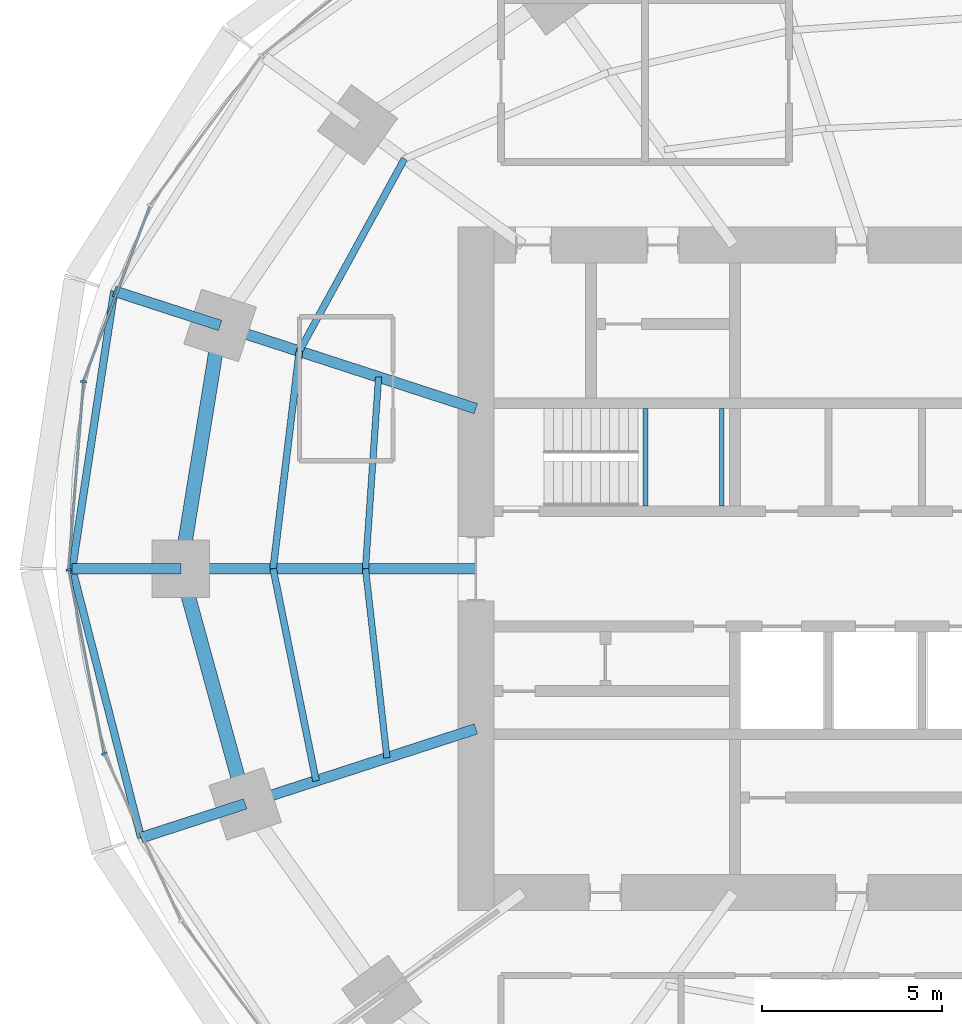
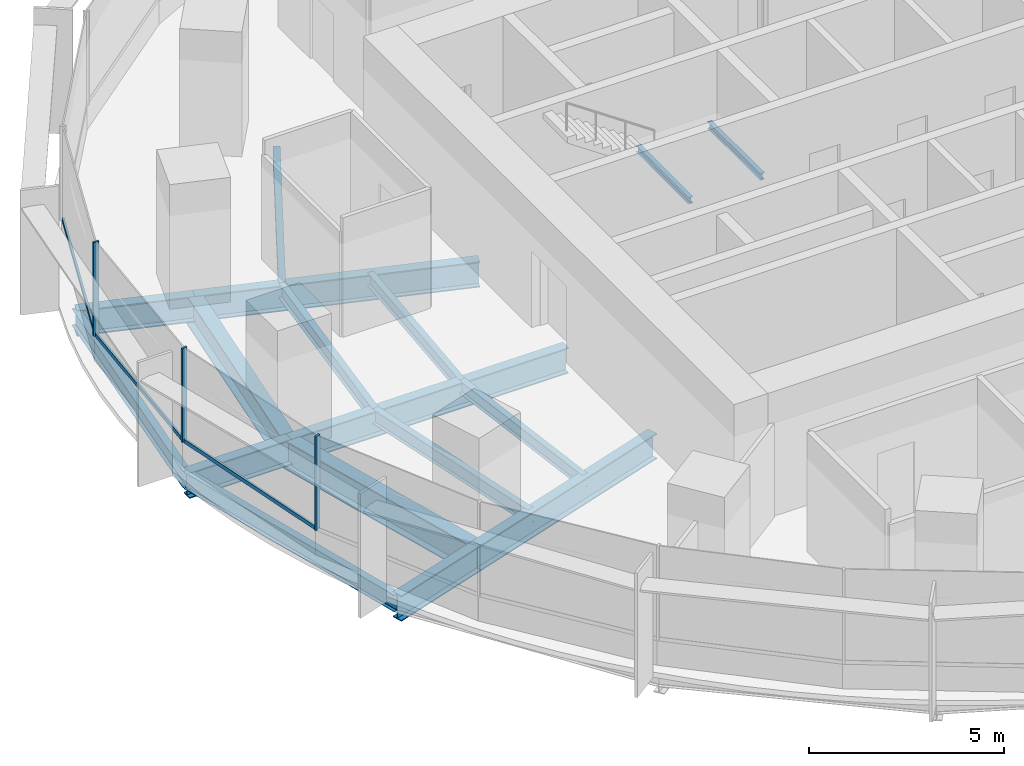
# One storey, part 4 of 14: 17 beams, 6 members, 2 elements without a shape of their own.
"""IFC4 building model written with IfcOpenShell, lengths in metres."""

from ifc_helpers import new_model, si_unit, direction, frame, origin, origin_2d, place, context, subcontext, project, spatial, rectangle, i_section, extrude, material, material_profile, profile_set, type_object, element, aggregate, save


model = new_model("IFC4")

# Units and contexts
model_context = context("Model", 3, precision=1e-05, world=origin(), true_north=direction((0.0, 1.0)))
body_context = subcontext(model_context, "Body", "Model", "MODEL_VIEW")
ifc_project = project(units=[si_unit("LENGTHUNIT", "METRE"), si_unit("AREAUNIT", "SQUARE_METRE"), si_unit("VOLUMEUNIT", "CUBIC_METRE"), si_unit("PLANEANGLEUNIT", "RADIAN"), si_unit("MASSUNIT", "GRAM", prefix="KILO")], contexts=[model_context])

# Site, building, storey
site_placement = place(None, origin())
site = spatial("IfcSite", under=ifc_project, at=site_placement, CompositionType="ELEMENT")
building_placement = place(site_placement, origin())
building = spatial("IfcBuilding", under=site, at=building_placement, Name="Marramba Exchange Tower", CompositionType="ELEMENT")
storey_placement = place(building_placement, frame((0.0, 0.0, 135.300048828125)))
storey = spatial("IfcBuildingStorey", under=building, at=storey_placement, Name="L32", CompositionType="ELEMENT", Elevation=135.300048828125)

# Beams
ifc_material_1 = material(Name="Steel AS/NZS 3679.2 grade 300", Category="steel")
ifc_material_profile_1 = material_profile(ifc_material_1, i_section(OverallWidth=0.300048828125, OverallDepth=0.800048828125, WebThickness=0.013916015625, FlangeThickness=0.031982421875, at=origin_2d()), Name="800WB192")
ifc_profile_set_1 = profile_set([ifc_material_profile_1], Name="Steel AS/NZS 3679.2 grade 300")
beam_type_1 = type_object("IfcBeamType", Name="Cantilever girder 800WB192", PredefinedType="BEAM", material=ifc_profile_set_1)
beam_1_placement = place(storey_placement, frame((-20.808349609375, 6.760986328125, -0.56005859375), z_axis=(-0.95104799017, 0.309043233858, 0.0), x_axis=(-0.309043233858, -0.95104799017, 0.0)))
element("IfcBeam", 1, at=beam_1_placement, inside=storey, type_object=beam_type_1, Name="Cantilever girder L32 TC10", PredefinedType="BEAM", context=body_context, shape_type="SweptSolid", body=[
    extrude(i_section(OverallWidth=0.300048828125, OverallDepth=0.800048828125, WebThickness=0.013916015625, FlangeThickness=0.031982421875, at=origin_2d()), origin(), (0.0, 0.0, 1.0), 3.0927734375),
])
beam_2_placement = place(storey_placement, frame((-21.89990234375, 0.0, -0.56005859375), z_axis=(-1.0, 0.0, 0.0), x_axis=(0.0, -1.0, 0.0)))
element("IfcBeam", 2, at=beam_2_placement, inside=storey, type_object=beam_type_1, Name="Cantilever girder L32 TC11", PredefinedType="BEAM", context=body_context, shape_type="SweptSolid", body=[
    extrude(i_section(OverallWidth=0.300048828125, OverallDepth=0.800048828125, WebThickness=0.013916015625, FlangeThickness=0.031982421875, at=origin_2d()), origin(), (0.0, 0.0, 1.0), 3.01806640625),
])
beam_3_placement = place(storey_placement, frame((-20.109375, -6.533935546875, -0.56005859375), z_axis=(-0.951070617775, -0.308973591113, 0.0), x_axis=(0.308973591113, -0.951070617775, 0.0)))
element("IfcBeam", 3, at=beam_3_placement, inside=storey, type_object=beam_type_1, Name="Cantilever girder L32 TC12", PredefinedType="BEAM", context=body_context, shape_type="SweptSolid", body=[
    extrude(i_section(OverallWidth=0.300048828125, OverallDepth=0.800048828125, WebThickness=0.013916015625, FlangeThickness=0.031982421875, at=origin_2d()), origin(), (0.0, 0.0, 1.0), 3.04296875),
])
ifc_material_2 = material(Name="Steel AS/NZS 3679.1 grade 300", Category="steel")
ifc_material_profile_2 = material_profile(ifc_material_2, i_section(OverallWidth=0.177978515625, OverallDepth=0.406005859375, WebThickness=0.0078125, FlangeThickness=0.0126953125, FilletRadius=0.011474609375, at=origin_2d()), Name="410UB59.7")
ifc_profile_set_2 = profile_set([ifc_material_profile_2], Name="Steel AS/NZS 3679.1 grade 300")
beam_type_2 = type_object("IfcBeamType", Name="Floor joist 410UB59.7", PredefinedType="JOIST", material=ifc_profile_set_2)
beam_4_placement = place(storey_placement, frame((-16.40283203125, 5.32958984375, -0.363037109375), z_axis=(-0.068096259546, -0.99767875563, 0.0), x_axis=(0.99767875563, -0.068096259546, 0.0)))
element("IfcBeam", 4, at=beam_4_placement, inside=storey, type_object=beam_type_2, Name="Joist L32 bay 10 row 1", PredefinedType="JOIST", context=body_context, shape_type="SweptSolid", body=[
    extrude(i_section(OverallWidth=0.177978515625, OverallDepth=0.406005859375, WebThickness=0.0078125, FlangeThickness=0.0126953125, FilletRadius=0.011474609375, at=origin_2d()), origin(), (0.0, 0.0, 1.0), 5.342041015625),
])
beam_5_placement = place(storey_placement, frame((-16.7666015625, 0.0, -0.363037109375), z_axis=(0.112888968594, -0.993607609054, 0.0), x_axis=(0.993607609054, 0.112888968594, 0.0)))
element("IfcBeam", 5, at=beam_5_placement, inside=storey, type_object=beam_type_2, Name="Joist L32 bay 11 row 1", PredefinedType="JOIST", context=body_context, shape_type="SweptSolid", body=[
    extrude(i_section(OverallWidth=0.177978515625, OverallDepth=0.406005859375, WebThickness=0.0078125, FlangeThickness=0.0126953125, FilletRadius=0.011474609375, at=origin_2d()), origin(), (0.0, 0.0, 1.0), 5.28759765625),
])
ifc_material_profile_3 = material_profile(ifc_material_2, i_section(OverallWidth=0.18994140625, OverallDepth=0.4541015625, WebThickness=0.008544921875, FlangeThickness=0.0126953125, FilletRadius=0.011474609375, at=origin_2d()), Name="460UB67.1")
ifc_profile_set_3 = profile_set([ifc_material_profile_3], Name="Steel AS/NZS 3679.1 grade 300")
beam_type_3 = type_object("IfcBeamType", Name="Floor joist 460UB67.1", PredefinedType="JOIST", material=ifc_profile_set_3)
beam_6_placement = place(storey_placement, frame((-15.682373046875, 11.393798828125, -0.386962890625), z_axis=(-0.479584443791, -0.877495732909, 0.0), x_axis=(0.877495732909, -0.479584443791, 0.0)))
element("IfcBeam", 6, at=beam_6_placement, inside=storey, type_object=beam_type_3, Name="Joist L32 bay 09 row 2", PredefinedType="JOIST", context=body_context, shape_type="SweptSolid", body=[
    extrude(i_section(OverallWidth=0.18994140625, OverallDepth=0.4541015625, WebThickness=0.008544921875, FlangeThickness=0.0126953125, FilletRadius=0.011474609375, at=origin_2d()), origin(), (0.0, 0.0, 1.0), 6.094970703125),
])
beam_7_placement = place(storey_placement, frame((-18.60546875, 6.04541015625, -0.386962890625), z_axis=(-0.119523078538, -0.992831422597, 0.0), x_axis=(0.992831422597, -0.119523078538, 0.0)))
element("IfcBeam", 7, at=beam_7_placement, inside=storey, type_object=beam_type_3, Name="Joist L32 bay 10 row 2", PredefinedType="JOIST", context=body_context, shape_type="SweptSolid", body=[
    extrude(i_section(OverallWidth=0.18994140625, OverallDepth=0.4541015625, WebThickness=0.008544921875, FlangeThickness=0.0126953125, FilletRadius=0.011474609375, at=origin_2d()), origin(), (0.0, 0.0, 1.0), 6.089111328125),
])
beam_8_placement = place(storey_placement, frame((-19.333251953125, 0.0, -0.386962890625), z_axis=(0.198489047047, -0.980103105904, 0.0), x_axis=(0.980103105904, 0.198489047047, 0.0)))
element("IfcBeam", 8, at=beam_8_placement, inside=storey, type_object=beam_type_3, Name="Joist L32 bay 11 row 2", PredefinedType="JOIST", context=body_context, shape_type="SweptSolid", body=[
    extrude(i_section(OverallWidth=0.18994140625, OverallDepth=0.4541015625, WebThickness=0.008544921875, FlangeThickness=0.0126953125, FilletRadius=0.011474609375, at=origin_2d()), origin(), (0.0, 0.0, 1.0), 6.013427734375),
])

# Curtain wall, member
ifc_material_3 = material(Name="Aluminium framing, bronze anodised", Category="aluminium")
curtain_wall_type = type_object("IfcCurtainWallType", Name="Office ribbon curtain wall", PredefinedType="USERDEFINED", material=ifc_material_3)
curtain_wall_1_placement = place(storey_placement, origin())
curtain_wall_1 = element("IfcCurtainWall", 9, at=curtain_wall_1_placement, inside=storey, type_object=curtain_wall_type, Name="Curtain wall CW4 L32 F11-F15", ObjectType="RIBBON CURTAIN WALL", PredefinedType="USERDEFINED")
ifc_material_4 = material(Name="Aluminium mullion, bronze anodised", Category="aluminium")
ifc_material_profile_4 = material_profile(ifc_material_4, rectangle(XDim=0.159912109375, YDim=0.06005859375, at=origin_2d()), Name="CW4 mullion 60x160")
ifc_profile_set_4 = profile_set([ifc_material_profile_4], Name="Aluminium mullion, bronze anodised")
member_type_1 = type_object("IfcMemberType", Name="Office ribbon curtain wall mullion", PredefinedType="MULLION", material=ifc_profile_set_4)
member_1_placement = place(storey_placement, frame((-24.603515625, 5.19921875, 0.800048828125), z_axis=(0.0, 0.0, 1.0), x_axis=(0.996838079455, -0.079459696383, 0.0)))
member_1 = element("IfcMember", 10, at=member_1_placement, type_object=member_type_1, Name="CW4 mullion 1", PredefinedType="MULLION", context=body_context, shape_type="SweptSolid", body=[
    extrude(rectangle(XDim=0.159912109375, YDim=0.06005859375, at=origin_2d()), origin(), (0.0, 0.0, 1.0), 2.93994140625),
])

# Curtain wall, members
curtain_wall_2_placement = place(storey_placement, origin())
curtain_wall_2 = element("IfcCurtainWall", 11, at=curtain_wall_2_placement, inside=storey, type_object=curtain_wall_type, Name="Curtain wall CW4 L32 F16-F20", ObjectType="RIBBON CURTAIN WALL", PredefinedType="USERDEFINED")
member_2_placement = place(storey_placement, frame((-25.012451171875, -0.029541015625, 0.800048828125), z_axis=(0.0, 0.0, 1.0), x_axis=(0.982125509078, 0.18822721487, 0.0)))
member_2 = element("IfcMember", 12, at=member_2_placement, type_object=member_type_1, Name="CW4 mullion 1", PredefinedType="MULLION", context=body_context, shape_type="SweptSolid", body=[
    extrude(rectangle(XDim=0.159912109375, YDim=0.06005859375, at=origin_2d()), origin(), (0.0, 0.0, 1.0), 2.93994140625),
])
member_3_placement = place(storey_placement, frame((-24.026123046875, -5.136962890625, 0.800048828125), z_axis=(0.0, 0.0, 1.0), x_axis=(0.909026713177, 0.416737848929, 0.0)))
member_3 = element("IfcMember", 13, at=member_3_placement, type_object=member_type_1, Name="CW4 mullion 1", PredefinedType="MULLION", context=body_context, shape_type="SweptSolid", body=[
    extrude(rectangle(XDim=0.159912109375, YDim=0.06005859375, at=origin_2d()), origin(), (0.0, 0.0, 1.0), 2.93994140625),
])

# Member
ifc_material_5 = material(Name="Aluminium transom, bronze anodised", Category="aluminium")
ifc_material_profile_5 = material_profile(ifc_material_5, rectangle(XDim=0.06005859375, YDim=0.1201171875, at=origin_2d()), Name="CW4 transom 60x120")
ifc_profile_set_5 = profile_set([ifc_material_profile_5], Name="Aluminium transom, bronze anodised")
member_type_2 = type_object("IfcMemberType", Name="Office ribbon curtain wall transom", PredefinedType="USERDEFINED", material=ifc_profile_set_5)
member_4_placement = place(storey_placement, frame((-22.763916015625, 10.069580078125, 0.829833984375), z_axis=(-0.354851822252, -0.934922555212, 0.0), x_axis=(0.934922555212, -0.354851822252, 0.0)))
member_4 = element("IfcMember", 14, at=member_4_placement, type_object=member_type_2, Name="CW4 sill transom", ObjectType="TRANSOM", PredefinedType="USERDEFINED", context=body_context, shape_type="SweptSolid", body=[
    extrude(rectangle(XDim=0.06005859375, YDim=0.1201171875, at=origin_2d()), origin(), (0.0, 0.0, 1.0), 5.17724609375),
])

member_5_placement = place(storey_placement, frame((-24.60595703125, 5.16943359375, 0.829833984375), z_axis=(-0.07946828762, -0.996837394595, 0.0), x_axis=(0.996837394595, -0.07946828762, 0.0)))
member_5 = element("IfcMember", 15, at=member_5_placement, type_object=member_type_2, Name="CW4 sill transom", ObjectType="TRANSOM", PredefinedType="USERDEFINED", context=body_context, shape_type="SweptSolid", body=[
    extrude(rectangle(XDim=0.06005859375, YDim=0.1201171875, at=origin_2d()), origin(), (0.0, 0.0, 1.0), 5.185791015625),
])

aggregate(curtain_wall_1, [member_4, member_1, member_5])

member_6_placement = place(storey_placement, frame((-25.006591796875, -0.058837890625, 0.829833984375), z_axis=(0.188185293992, -0.982133542409, 0.0), x_axis=(0.982133542409, 0.188185293992, 0.0)))
member_6 = element("IfcMember", 16, at=member_6_placement, type_object=member_type_2, Name="CW4 sill transom", ObjectType="TRANSOM", PredefinedType="USERDEFINED", context=body_context, shape_type="SweptSolid", body=[
    extrude(rectangle(XDim=0.06005859375, YDim=0.1201171875, at=origin_2d()), origin(), (0.0, 0.0, 1.0), 5.142578125),
])

aggregate(curtain_wall_2, [member_2, member_6, member_3])

# Beams
ifc_material_profile_6 = material_profile(ifc_material_1, i_section(OverallWidth=0.300048828125, OverallDepth=0.800048828125, WebThickness=0.013916015625, FlangeThickness=0.031982421875, at=origin_2d()), Name="800WB192")
ifc_profile_set_6 = profile_set([ifc_material_profile_6], Name="Steel AS/NZS 3679.2 grade 300")
beam_type_4 = type_object("IfcBeamType", Name="Radial girder 800WB192", PredefinedType="BEAM", material=ifc_profile_set_6)
beam_9_placement = place(storey_placement, frame((-13.699951171875, 4.451416015625, -0.56005859375), z_axis=(-0.951059990189, 0.309006302624, 0.0), x_axis=(-0.309006302624, -0.951059990189, 0.0)))
element("IfcBeam", 17, at=beam_9_placement, inside=storey, type_object=beam_type_4, Name="Radial girder L32 TC10", PredefinedType="BEAM", context=body_context, shape_type="SweptSolid", body=[
    extrude(i_section(OverallWidth=0.300048828125, OverallDepth=0.800048828125, WebThickness=0.013916015625, FlangeThickness=0.031982421875, at=origin_2d()), origin(), (0.0, 0.0, 1.0), 7.47412109375),
])
beam_10_placement = place(storey_placement, frame((-13.699951171875, 0.0, -0.56005859375), z_axis=(-1.0, 0.0, 0.0), x_axis=(0.0, -1.0, 0.0)))
element("IfcBeam", 18, at=beam_10_placement, inside=storey, type_object=beam_type_4, Name="Radial girder L32 TC11", PredefinedType="BEAM", context=body_context, shape_type="SweptSolid", body=[
    extrude(i_section(OverallWidth=0.300048828125, OverallDepth=0.800048828125, WebThickness=0.013916015625, FlangeThickness=0.031982421875, at=origin_2d()), origin(), (0.0, 0.0, 1.0), 8.199951171875),
])
beam_11_placement = place(storey_placement, frame((-13.699951171875, -4.451416015625, -0.56005859375), z_axis=(-0.951057759669, -0.309013167637, 0.0), x_axis=(0.309013167637, -0.951057759669, 0.0)))
element("IfcBeam", 19, at=beam_11_placement, inside=storey, type_object=beam_type_4, Name="Radial girder L32 TC12", PredefinedType="BEAM", context=body_context, shape_type="SweptSolid", body=[
    extrude(i_section(OverallWidth=0.300048828125, OverallDepth=0.800048828125, WebThickness=0.013916015625, FlangeThickness=0.031982421875, at=origin_2d()), origin(), (0.0, 0.0, 1.0), 6.7392578125),
])
ifc_material_profile_7 = material_profile(ifc_material_1, i_section(OverallWidth=0.39990234375, OverallDepth=0.89990234375, WebThickness=0.01611328125, FlangeThickness=0.031982421875, at=origin_2d()), Name="900WB282")
ifc_profile_set_7 = profile_set([ifc_material_profile_7], Name="Steel AS/NZS 3679.2 grade 300")
beam_type_5 = type_object("IfcBeamType", Name="Ring beam 900WB282", PredefinedType="SPANDREL", material=ifc_profile_set_7)
beam_12_placement = place(storey_placement, frame((-20.808349609375, 6.760986328125, -0.610107421875), z_axis=(-0.159384865399, -0.987216523708, 0.0), x_axis=(0.987216523708, -0.159384865399, 0.0)))
element("IfcBeam", 20, at=beam_12_placement, inside=storey, type_object=beam_type_5, Name="Ring beam L32 TC10-TC11", PredefinedType="SPANDREL", context=body_context, shape_type="SweptSolid", body=[
    extrude(i_section(OverallWidth=0.39990234375, OverallDepth=0.89990234375, WebThickness=0.01611328125, FlangeThickness=0.031982421875, at=origin_2d()), origin(), (0.0, 0.0, 1.0), 6.8486328125),
])
beam_13_placement = place(storey_placement, frame((-21.89990234375, 0.0, -0.610107421875), z_axis=(0.264291166956, -0.964442937176, 0.0), x_axis=(0.964442937176, 0.264291166956, 0.0)))
element("IfcBeam", 21, at=beam_13_placement, inside=storey, type_object=beam_type_5, Name="Ring beam L32 TC11-TC12", PredefinedType="SPANDREL", context=body_context, shape_type="SweptSolid", body=[
    extrude(i_section(OverallWidth=0.39990234375, OverallDepth=0.89990234375, WebThickness=0.01611328125, FlangeThickness=0.031982421875, at=origin_2d()), origin(), (0.0, 0.0, 1.0), 6.77490234375),
])
ifc_material_profile_8 = material_profile(ifc_material_2, i_section(OverallWidth=0.208984375, OverallDepth=0.528076171875, WebThickness=0.009521484375, FlangeThickness=0.01318359375, FilletRadius=0.013916015625, at=origin_2d()), Name="530UB82.0")
ifc_profile_set_8 = profile_set([ifc_material_profile_8], Name="Steel AS/NZS 3679.1 grade 300")
beam_type_6 = type_object("IfcBeamType", Name="Slab edge beam 530UB82.0", PredefinedType="SPANDREL", material=ifc_profile_set_8)
beam_14_placement = place(storey_placement, frame((-23.749755859375, 7.716796875, -0.424072265625), z_axis=(-0.149680281727, -0.988734450326, 0.0), x_axis=(0.988734450326, -0.149680281727, 0.0)))
element("IfcBeam", 22, at=beam_14_placement, inside=storey, type_object=beam_type_6, Name="Slab edge beam L32 TC10-TC11", PredefinedType="SPANDREL", context=body_context, shape_type="SweptSolid", body=[
    extrude(i_section(OverallWidth=0.208984375, OverallDepth=0.528076171875, WebThickness=0.009521484375, FlangeThickness=0.01318359375, FilletRadius=0.013916015625, at=origin_2d()), origin(), (0.0, 0.0, 1.0), 7.8046875),
])
beam_15_placement = place(storey_placement, frame((-24.91796875, 0.0, -0.424072265625), z_axis=(0.248145427917, -0.968722791413, 0.0), x_axis=(0.968722791413, 0.248145427917, 0.0)))
element("IfcBeam", 23, at=beam_15_placement, inside=storey, type_object=beam_type_6, Name="Slab edge beam L32 TC11-TC12", PredefinedType="SPANDREL", context=body_context, shape_type="SweptSolid", body=[
    extrude(i_section(OverallWidth=0.208984375, OverallDepth=0.528076171875, WebThickness=0.009521484375, FlangeThickness=0.01318359375, FilletRadius=0.013916015625, at=origin_2d()), origin(), (0.0, 0.0, 1.0), 7.71533203125),
])
ifc_material_profile_9 = material_profile(ifc_material_2, i_section(OverallWidth=0.133056640625, OverallDepth=0.202880859375, WebThickness=0.005859375, FlangeThickness=0.0078125, FilletRadius=0.0087890625, at=origin_2d()), Name="200UB25.4")
ifc_profile_set_9 = profile_set([ifc_material_profile_9], Name="Steel AS/NZS 3679.1 grade 300")
beam_type_7 = type_object("IfcBeamType", Name="Stair landing beam 200UB25.4", PredefinedType="BEAM", material=ifc_profile_set_9)
for number, where, z_axis, x_axis, name in (
    (24, (-8.9833984375, 1.75, 1.6484375), (0.0, 1.0, 0.0), (-1.0, 0.0, 0.0), "Stair landing beam SLB1 ST1 L32 1"),
    (25, (-6.866455078125, 1.75, 1.6484375), (0.0, 1.0, 0.0), (-1.0, 0.0, 0.0), "Stair landing beam SLB1 ST1 L32 2"),
):
    element("IfcBeam", number, at=place(storey_placement, frame(where, z_axis=z_axis, x_axis=x_axis)), inside=storey, type_object=beam_type_7, Name=name, PredefinedType="BEAM", context=body_context, shape_type="SweptSolid", body=[
        extrude(i_section(OverallWidth=0.133056640625, OverallDepth=0.202880859375, WebThickness=0.005859375, FlangeThickness=0.0078125, FilletRadius=0.0087890625, at=origin_2d()), origin(), (0.0, 0.0, 1.0), 2.699951171875),
    ])

save(model, "model.ifc")
